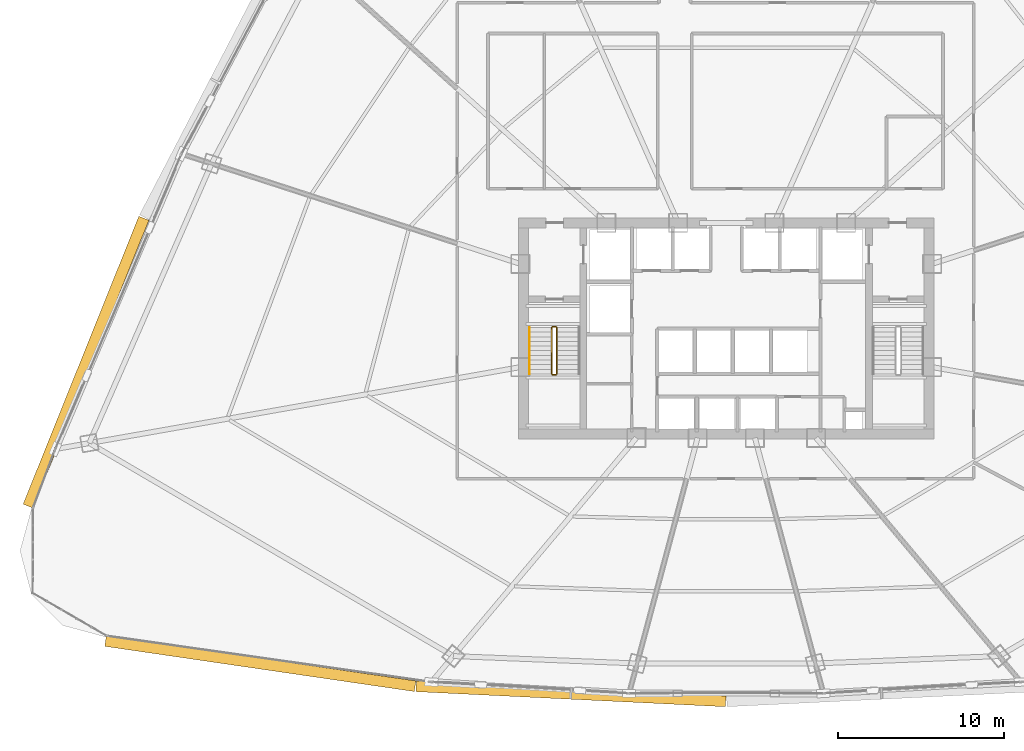
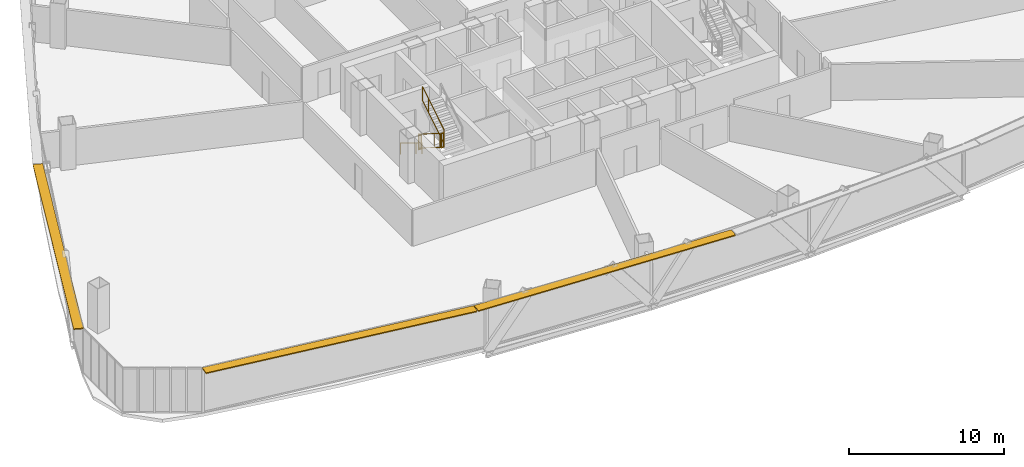
# One storey, part 36 of 39: 5 railings, 3 shading devices.
"""IFC4 building model written with IfcOpenShell, lengths in metres."""

from ifc_helpers import new_model, si_unit, direction, frame, origin, origin_2d, place, context, subcontext, project, spatial, rectangle, extrude, source, transform, mapped, material, layer, layer_set, type_object, element, save


model = new_model("IFC4")

# Units and contexts
model_context = context("Model", 3, precision=1e-05, world=origin(), true_north=direction((0.0, 1.0)))
body_context = subcontext(model_context, "Body", "Model", "MODEL_VIEW")
ifc_project = project(units=[si_unit("LENGTHUNIT", "METRE"), si_unit("AREAUNIT", "SQUARE_METRE"), si_unit("VOLUMEUNIT", "CUBIC_METRE"), si_unit("PLANEANGLEUNIT", "RADIAN"), si_unit("MASSUNIT", "GRAM", prefix="KILO"), si_unit("THERMODYNAMICTEMPERATUREUNIT", "KELVIN"), si_unit("POWERUNIT", "WATT")], contexts=[model_context])

# Site, building, storey
site_placement = place(None, origin())
site = spatial("IfcSite", under=ifc_project, at=site_placement, CompositionType="ELEMENT")
building_placement = place(site_placement, origin())
building = spatial("IfcBuilding", under=site, at=building_placement, Name="Yunzhuo Pagoda Commons", CompositionType="ELEMENT")
storey_placement = place(building_placement, frame((0.0, 0.0, 96.3798828125)))
storey = spatial("IfcBuildingStorey", under=building, at=storey_placement, Name="L24", CompositionType="ELEMENT", Elevation=96.3798828125)

# Railings
ifc_material = material(Name="Anodized aluminium 6063-T6", Category="aluminium")
railing_type_1 = type_object("IfcRailingType", Name="GR-ST1 Stair Well Guardrail 1150", PredefinedType="GUARDRAIL", material=ifc_material)
railing_1_placement = place(storey_placement, frame((37.5, 33.89990234375, 0.1728515625)))
element("IfcRailing", 1, at=railing_1_placement, inside=storey, type_object=railing_type_1, Name="L24 ST1 stair guard 1", PredefinedType="GUARDRAIL", context=body_context, shape_type="SweptSolid", body=[
    extrude(rectangle(XDim=0.048095703125, YDim=0.048095703125, at=origin_2d()), frame((0.0, 0.0, 1.1259765625), z_axis=(0.0, -0.851069175582, 0.525053576669), x_axis=(1.0, 0.0, 0.0)), (0.0, 0.0, 1.0), 3.289794921875),
    extrude(rectangle(XDim=0.048095703125, YDim=0.048095703125, at=origin_2d()), frame((0.0, 0.0, 0.02392578125), z_axis=(0.0, -0.851069175582, 0.525053576669), x_axis=(1.0, 0.0, 0.0)), (0.0, 0.0, 1.0), 3.289794921875),
    extrude(rectangle(XDim=0.0419921875, YDim=0.0419921875, at=origin_2d()), origin(), (0.0, 0.0, 1.0), 1.101806640625),
    extrude(rectangle(XDim=0.0419921875, YDim=0.0419921875, at=origin_2d()), frame((0.0, -2.04248046875, 1.260009765625)), (0.0, 0.0, 1.0), 1.101806640625),
    extrude(rectangle(XDim=0.0419921875, YDim=0.0419921875, at=origin_2d()), frame((0.0, -2.7998046875, 1.727294921875)), (0.0, 0.0, 1.0), 1.101806640625),
])
railing_2_placement = place(storey_placement, frame((37.550048828125, 31.050048828125, 1.900146484375)))
element("IfcRailing", 2, at=railing_2_placement, inside=storey, type_object=railing_type_1, Name="L24 ST1 stair guard 2", PredefinedType="GUARDRAIL", context=body_context, shape_type="SweptSolid", body=[
    extrude(rectangle(XDim=0.048095703125, YDim=0.048095703125, at=origin_2d()), frame((0.0, 0.0, 1.1259765625), z_axis=(1.0, 0.0, 0.0), x_axis=(0.0, 1.0, 0.0)), (0.0, 0.0, 1.0), 0.199951171875),
    extrude(rectangle(XDim=0.048095703125, YDim=0.048095703125, at=origin_2d()), frame((0.0, 0.0, 0.02392578125), z_axis=(1.0, 0.0, 0.0), x_axis=(0.0, 1.0, 0.0)), (0.0, 0.0, 1.0), 0.199951171875),
    extrude(rectangle(XDim=0.0419921875, YDim=0.0419921875, at=origin_2d()), origin(), (0.0, 0.0, 1.0), 1.101806640625),
    extrude(rectangle(XDim=0.0419921875, YDim=0.0419921875, at=origin_2d()), frame((0.199951171875, 0.0, 0.0)), (0.0, 0.0, 1.0), 1.101806640625),
])
railing_3_placement = place(storey_placement, frame((37.800048828125, 31.10009765625, 2.07275390625)))
element("IfcRailing", 3, at=railing_3_placement, inside=storey, type_object=railing_type_1, Name="L24 ST1 stair guard 3", PredefinedType="GUARDRAIL", context=body_context, shape_type="SweptSolid", body=[
    extrude(rectangle(XDim=0.048095703125, YDim=0.048095703125, at=origin_2d()), frame((0.0, 0.0, 1.1259765625), z_axis=(0.0, 0.851069175582, 0.525053576669), x_axis=(-1.0, 0.0, 0.0)), (0.0, 0.0, 1.0), 3.289794921875),
    extrude(rectangle(XDim=0.048095703125, YDim=0.048095703125, at=origin_2d()), frame((0.0, 0.0, 0.02392578125), z_axis=(0.0, 0.851069175582, 0.525053576669), x_axis=(-1.0, 0.0, 0.0)), (0.0, 0.0, 1.0), 3.289794921875),
    extrude(rectangle(XDim=0.0419921875, YDim=0.0419921875, at=origin_2d()), origin(), (0.0, 0.0, 1.0), 1.101806640625),
    extrude(rectangle(XDim=0.0419921875, YDim=0.0419921875, at=origin_2d()), frame((0.0, 2.04248046875, 1.260009765625)), (0.0, 0.0, 1.0), 1.101806640625),
    extrude(rectangle(XDim=0.0419921875, YDim=0.0419921875, at=origin_2d()), frame((0.0, 2.7998046875, 1.727294921875)), (0.0, 0.0, 1.0), 1.101806640625),
])
railing_4_placement = place(storey_placement, frame((37.550048828125, 33.949951171875, 0.0)))
element("IfcRailing", 4, at=railing_4_placement, inside=storey, type_object=railing_type_1, Name="L24 ST1 stair guard 4", PredefinedType="GUARDRAIL", context=body_context, shape_type="SweptSolid", body=[
    extrude(rectangle(XDim=0.048095703125, YDim=0.048095703125, at=origin_2d()), frame((0.0, 0.0, 1.1259765625), z_axis=(1.0, 0.0, 0.0), x_axis=(0.0, 1.0, 0.0)), (0.0, 0.0, 1.0), 0.199951171875),
    extrude(rectangle(XDim=0.048095703125, YDim=0.048095703125, at=origin_2d()), frame((0.0, 0.0, 0.02392578125), z_axis=(1.0, 0.0, 0.0), x_axis=(0.0, 1.0, 0.0)), (0.0, 0.0, 1.0), 0.199951171875),
    extrude(rectangle(XDim=0.0419921875, YDim=0.0419921875, at=origin_2d()), origin(), (0.0, 0.0, 1.0), 1.101806640625),
    extrude(rectangle(XDim=0.0419921875, YDim=0.0419921875, at=origin_2d()), frame((0.199951171875, 0.0, 0.0)), (0.0, 0.0, 1.0), 1.101806640625),
])
railing_type_2 = type_object("IfcRailingType", Name="HR-ST1 Stair Handrail 900", PredefinedType="HANDRAIL", material=ifc_material)
railing_5_placement = place(storey_placement, frame((36.14990234375, 33.89990234375, 0.1728515625)))
element("IfcRailing", 5, at=railing_5_placement, inside=storey, type_object=railing_type_2, Name="L24 ST1 stair handrail 1", PredefinedType="HANDRAIL", context=body_context, shape_type="SweptSolid", body=[
    extrude(rectangle(XDim=0.048095703125, YDim=0.048095703125, at=origin_2d()), frame((0.0, 0.0, 0.8759765625), z_axis=(0.0, -0.851069175582, 0.525053576669), x_axis=(1.0, 0.0, 0.0)), (0.0, 0.0, 1.0), 3.289794921875),
    extrude(rectangle(XDim=0.0419921875, YDim=0.0419921875, at=origin_2d()), origin(), (0.0, 0.0, 1.0), 0.851806640625),
    extrude(rectangle(XDim=0.0419921875, YDim=0.0419921875, at=origin_2d()), frame((0.0, -2.04248046875, 1.260009765625)), (0.0, 0.0, 1.0), 0.851806640625),
    extrude(rectangle(XDim=0.0419921875, YDim=0.0419921875, at=origin_2d()), frame((0.0, -2.7998046875, 1.727294921875)), (0.0, 0.0, 1.0), 0.851806640625),
])

# Shading devices
ifc_layer = layer(ifc_material, 0.080078125)
ifc_layer_set = layer_set([ifc_layer], Name="Anodized aluminium 6063-T6")
shading_device_type = type_object("IfcShadingDeviceType", Name="SH-SUN1 Pagoda Horizontal Sunshade Eave 650", PredefinedType="USERDEFINED", material=ifc_layer_set)
shared_shape_1 = source(origin(), body_context, "Body", "SweptSolid", [
    extrude(rectangle(XDim=18.838134765625, YDim=0.64990234375, at=origin_2d()), origin(), (0.0, 0.0, 1.0), 0.080078125),
])
shading_device_1_placement = place(storey_placement, frame((19.945068359375, 13.65966796875, 3.4599609375), z_axis=(0.0, 0.0, 1.0), x_axis=(0.989510666697, -0.144459823108, 0.0)))
element("IfcShadingDevice", 6, at=shading_device_1_placement, inside=storey, type_object=shading_device_type, Name="L24 horizontal pagoda sunshade eave F1.1", ObjectType="SUNSHADE", PredefinedType="USERDEFINED", context=body_context, shape_type="MappedRepresentation", body=[
    mapped(shared_shape_1, transform((0.0, 0.0, 0.0), scale=1.0)),
])
shared_shape_2 = source(origin(), body_context, "Body", "SweptSolid", [
    extrude(rectangle(XDim=18.662353515625, YDim=0.64990234375, at=origin_2d()), origin(), (0.0, 0.0, 1.0), 0.080078125),
])
shading_device_2_placement = place(storey_placement, frame((38.648193359375, 11.839599609375, 3.4599609375), z_axis=(0.0, 0.0, 1.0), x_axis=(0.998818043775, -0.04860571396, 0.0)))
element("IfcShadingDevice", 7, at=shading_device_2_placement, inside=storey, type_object=shading_device_type, Name="L24 horizontal pagoda sunshade eave F1.2", ObjectType="SUNSHADE", PredefinedType="USERDEFINED", context=body_context, shape_type="MappedRepresentation", body=[
    mapped(shared_shape_2, transform((0.0, 0.0, 0.0), scale=1.0)),
])
shared_shape_3 = source(origin(), body_context, "Body", "SweptSolid", [
    extrude(rectangle(XDim=18.686767578125, YDim=0.64990234375, at=origin_2d()), origin(), (0.0, 0.0, 1.0), 0.080078125),
])
shading_device_3_placement = place(storey_placement, frame((9.447021484375, 31.809814453125, 3.4599609375), z_axis=(0.0, 0.0, 1.0), x_axis=(-0.372987782576, -0.927836253899, 0.0)))
element("IfcShadingDevice", 8, at=shading_device_3_placement, inside=storey, type_object=shading_device_type, Name="L24 horizontal pagoda sunshade eave F3.4", ObjectType="SUNSHADE", PredefinedType="USERDEFINED", context=body_context, shape_type="MappedRepresentation", body=[
    mapped(shared_shape_3, transform((0.0, 0.0, 0.0), scale=1.0)),
])

save(model, "model.ifc")
